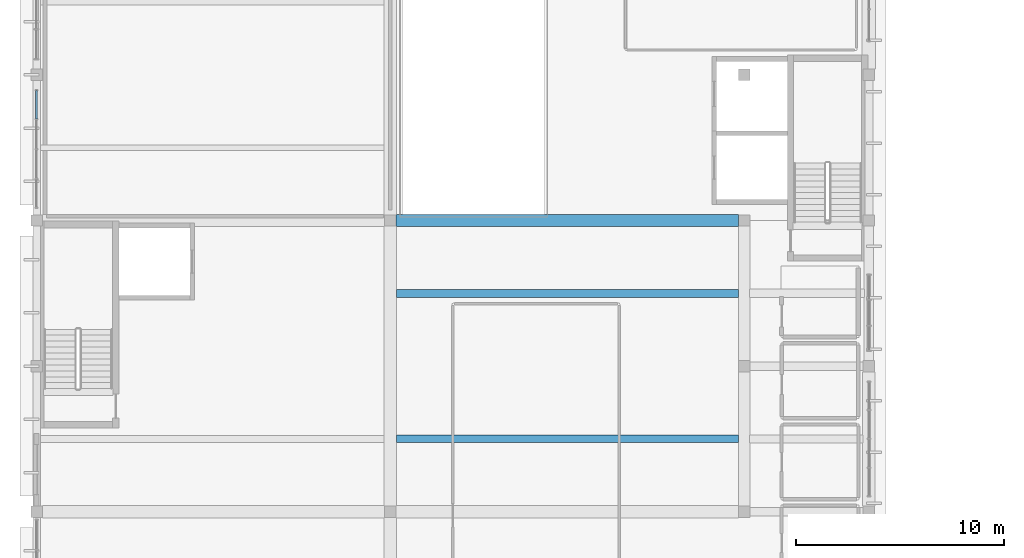
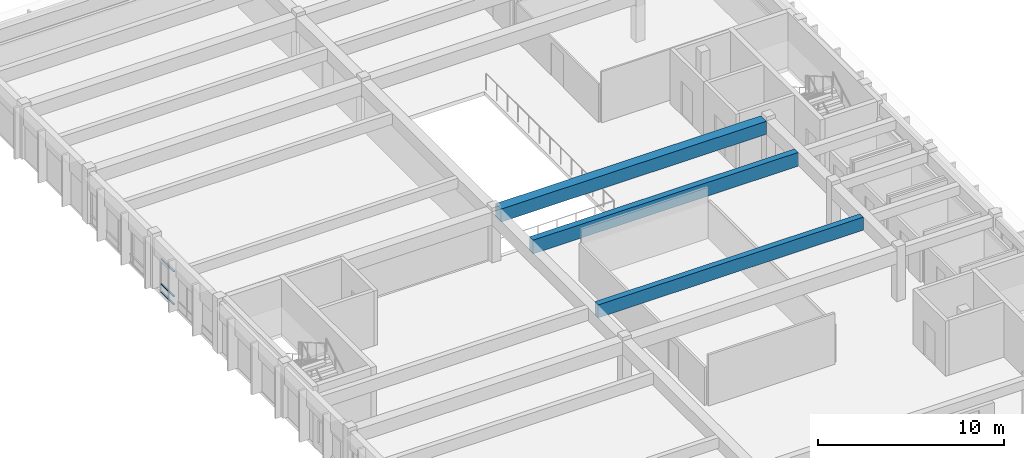
# One storey, part 7 of 23: 3 beams, 3 members, 1 element without a shape of its own.
"""IFC4 building model written with IfcOpenShell, lengths in metres."""

from ifc_helpers import new_model, si_unit, direction, frame, origin, origin_2d, place, context, subcontext, project, spatial, rectangle, extrude, material, material_profile, profile_set, type_object, element, aggregate, save


model = new_model("IFC4")

# Units and contexts
model_context = context("Model", 3, precision=1e-05, world=origin(), true_north=direction((0.0, 1.0)))
body_context = subcontext(model_context, "Body", "Model", "MODEL_VIEW")
ifc_project = project(units=[si_unit("LENGTHUNIT", "METRE"), si_unit("AREAUNIT", "SQUARE_METRE"), si_unit("VOLUMEUNIT", "CUBIC_METRE"), si_unit("PLANEANGLEUNIT", "RADIAN"), si_unit("MASSUNIT", "GRAM", prefix="KILO")], contexts=[model_context])

# Site, building, storey
site_placement = place(None, origin())
site = spatial("IfcSite", under=ifc_project, at=site_placement, CompositionType="ELEMENT")
building_placement = place(site_placement, origin())
building = spatial("IfcBuilding", under=site, at=building_placement, Name="Larkveld Mobility Hub", CompositionType="ELEMENT")
storey_placement = place(building_placement, frame((0.0, 0.0, 19.199951171875)))
storey = spatial("IfcBuildingStorey", under=building, at=storey_placement, Name="L05", CompositionType="ELEMENT", Elevation=19.199951171875)

# Beams
ifc_material_1 = material(Name="Precast concrete C50/60", Category="concrete")
ifc_material_profile_1 = material_profile(ifc_material_1, rectangle(XDim=0.360107421875, YDim=0.85009765625, at=origin_2d()), Name="PC DT 360x850")
ifc_profile_set_1 = profile_set([ifc_material_profile_1], Name="Precast concrete C50/60")
beam_type_1 = type_object("IfcBeamType", Name="BM-DT3685", PredefinedType="T_BEAM", material=ifc_profile_set_1)
beam_1_placement = place(storey_placement, frame((129.294921875, 45.5, 2.945068359375), z_axis=(1.0, 0.0, 0.0), x_axis=(0.0, 1.0, 0.0)))
element("IfcBeam", 1, at=beam_1_placement, inside=storey, type_object=beam_type_1, Name="Precast Double-Tee Stem L05-1148", PredefinedType="T_BEAM", context=body_context, shape_type="SweptSolid", body=[
    extrude(rectangle(XDim=0.360107421875, YDim=0.85009765625, at=origin_2d()), origin(), (0.0, 0.0, 1.0), 16.43505859375),
])
ifc_material_profile_2 = material_profile(ifc_material_1, rectangle(XDim=0.3798828125, YDim=0.89990234375, at=origin_2d()), Name="PC DT 380x900")
ifc_profile_set_2 = profile_set([ifc_material_profile_2], Name="Precast concrete C50/60")
beam_type_2 = type_object("IfcBeamType", Name="BM-DT3890", PredefinedType="T_BEAM", material=ifc_profile_set_2)
beam_2_placement = place(storey_placement, frame((129.294921875, 52.5, 2.920166015625), z_axis=(1.0, 0.0, 0.0), x_axis=(0.0, 1.0, 0.0)))
element("IfcBeam", 2, at=beam_2_placement, inside=storey, type_object=beam_type_2, Name="Precast Double-Tee Stem L05-1150", PredefinedType="T_BEAM", context=body_context, shape_type="SweptSolid", body=[
    extrude(rectangle(XDim=0.3798828125, YDim=0.89990234375, at=origin_2d()), origin(), (0.0, 0.0, 1.0), 16.43505859375),
])
ifc_material_profile_3 = material_profile(ifc_material_1, rectangle(XDim=0.60009765625, YDim=0.85009765625, at=origin_2d()), Name="PC ITB 600x850")
ifc_profile_set_3 = profile_set([ifc_material_profile_3], Name="Precast concrete C50/60")
beam_type_3 = type_object("IfcBeamType", Name="BM-ITB6085", PredefinedType="T_BEAM", material=ifc_profile_set_3)
beam_3_placement = place(storey_placement, frame((129.27490234375, 56.0, 2.93505859375), z_axis=(1.0, 0.0, 0.0), x_axis=(0.0, 1.0, 0.0)))
element("IfcBeam", 3, at=beam_3_placement, inside=storey, type_object=beam_type_3, Name="Primary E-W Girder L05-0952", PredefinedType="T_BEAM", context=body_context, shape_type="SweptSolid", body=[
    extrude(rectangle(XDim=0.60009765625, YDim=0.85009765625, at=origin_2d()), origin(), (0.0, 0.0, 1.0), 16.4501953125),
])

# Curtain wall, members
ifc_material_2 = material(Name="Anodised aluminium 6063-T6", Category="aluminium")
curtain_wall_type = type_object("IfcCurtainWallType", Name="CW-SYS-08", PredefinedType="NOTDEFINED", material=ifc_material_2)
curtain_wall_placement = place(storey_placement, origin())
curtain_wall = element("IfcCurtainWall", 4, at=curtain_wall_placement, inside=storey, type_object=curtain_wall_type, Name="EV Wing West Glazing L05 CW-164", PredefinedType="NOTDEFINED")
ifc_material_profile_4 = material_profile(ifc_material_2, rectangle(XDim=0.10009765625, YDim=0.050048828125, at=origin_2d()), Name="ALU TRAN 50x100")
ifc_profile_set_4 = profile_set([ifc_material_profile_4], Name="Anodised aluminium 6063-T6")
member_type = type_object("IfcMemberType", Name="CW-TRN-04", PredefinedType="USERDEFINED", material=ifc_profile_set_4)
member_1_placement = place(storey_placement, frame((112.0, 62.25, 0.030029296875), z_axis=(0.0, -1.0, 0.0), x_axis=(1.0, 0.0, 0.0)))
member_1 = element("IfcMember", 5, at=member_1_placement, type_object=member_type, Name="CW08 transom 1.1", ObjectType="TRANSOM", PredefinedType="USERDEFINED", context=body_context, shape_type="SweptSolid", body=[
    extrude(rectangle(XDim=0.10009765625, YDim=0.050048828125, at=origin_2d()), origin(), (0.0, 0.0, 1.0), 1.3759765625),
])
member_2_placement = place(storey_placement, frame((112.0, 62.25, 0.552001953125), z_axis=(0.0, -1.0, 0.0), x_axis=(1.0, 0.0, 0.0)))
member_2 = element("IfcMember", 6, at=member_2_placement, type_object=member_type, Name="CW08 transom 1.2", ObjectType="TRANSOM", PredefinedType="USERDEFINED", context=body_context, shape_type="SweptSolid", body=[
    extrude(rectangle(XDim=0.10009765625, YDim=0.050048828125, at=origin_2d()), origin(), (0.0, 0.0, 1.0), 1.3759765625),
])
member_3_placement = place(storey_placement, frame((112.0, 62.25, 2.177978515625), z_axis=(0.0, -1.0, 0.0), x_axis=(1.0, 0.0, 0.0)))
member_3 = element("IfcMember", 7, at=member_3_placement, type_object=member_type, Name="CW08 transom 1.3", ObjectType="TRANSOM", PredefinedType="USERDEFINED", context=body_context, shape_type="SweptSolid", body=[
    extrude(rectangle(XDim=0.10009765625, YDim=0.050048828125, at=origin_2d()), origin(), (0.0, 0.0, 1.0), 1.3759765625),
])
aggregate(curtain_wall, [member_1, member_2, member_3])

save(model, "model.ifc")
